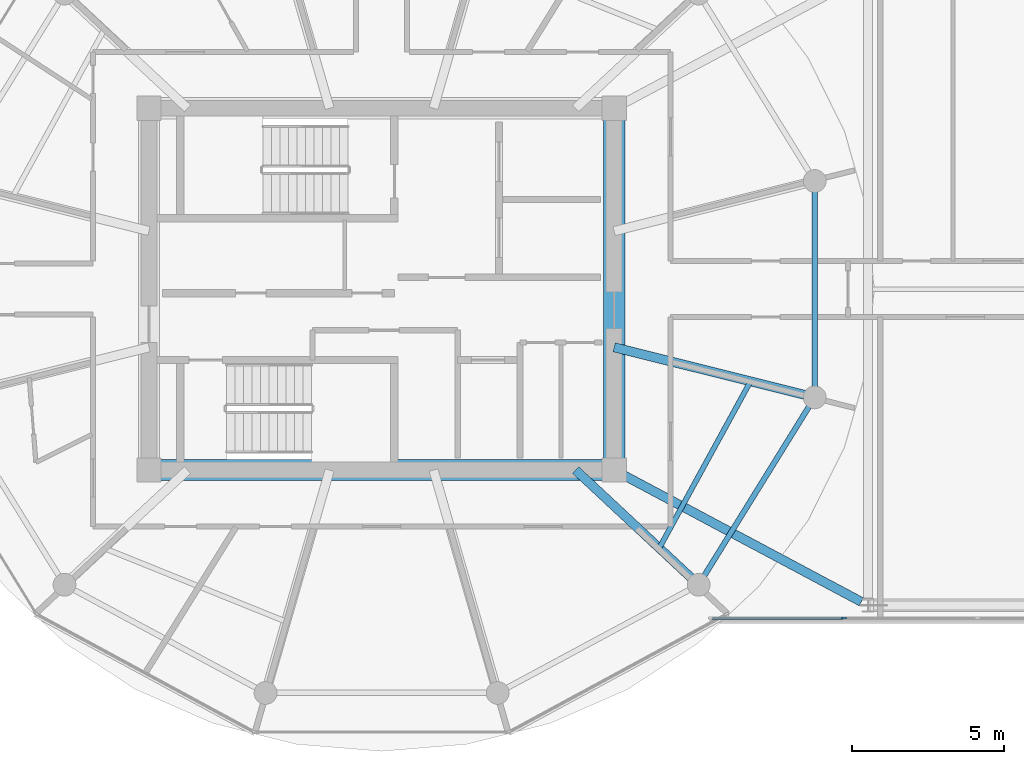
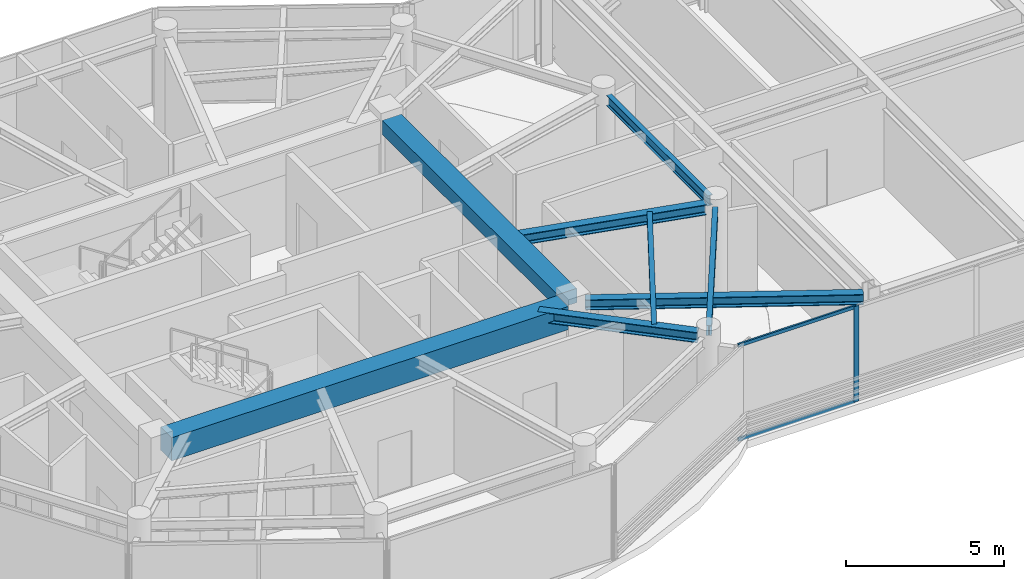
# One storey, part 4 of 24: 8 beams, 3 members, 1 element without a shape of its own.
"""IFC4 building model written with IfcOpenShell, lengths in metres."""

from ifc_helpers import new_model, si_unit, direction, frame, origin, origin_2d, place, context, subcontext, project, spatial, rectangle, i_section, extrude, source, transform, mapped, material, layer, layer_set, material_profile, profile_set, type_object, type_shapes, element, aggregate, save


model = new_model("IFC4")

# Units and contexts
model_context = context("Model", 3, precision=1e-05, world=origin(), true_north=direction((0.0, 1.0)))
body_context = subcontext(model_context, "Body", "Model", "MODEL_VIEW")
ifc_project = project(units=[si_unit("LENGTHUNIT", "METRE"), si_unit("AREAUNIT", "SQUARE_METRE"), si_unit("VOLUMEUNIT", "CUBIC_METRE"), si_unit("PLANEANGLEUNIT", "RADIAN"), si_unit("MASSUNIT", "GRAM", prefix="KILO")], contexts=[model_context])

# Site, building, storey
site_placement = place(None, origin())
site = spatial("IfcSite", under=ifc_project, at=site_placement, CompositionType="ELEMENT")
building_placement = place(site_placement, origin())
building = spatial("IfcBuilding", under=site, at=building_placement, Name="Norrkilde Senior Care Towers", CompositionType="ELEMENT")
storey_placement = place(building_placement, frame((0.0, 0.0, 203.800048828125)))
storey = spatial("IfcBuildingStorey", under=building, at=storey_placement, Name="L63", CompositionType="ELEMENT", Elevation=203.800048828125)

# Beams
ifc_material_1 = material(Name="Concrete C60/75", Category="concrete")
ifc_material_profile_1 = material_profile(ifc_material_1, rectangle(XDim=0.699951171875, YDim=0.89990234375, at=origin_2d()), Name="RC BM 700x900")
ifc_profile_set_1 = profile_set([ifc_material_profile_1], Name="Concrete C60/75")
beam_type_1 = type_object("IfcBeamType", Name="Core Coupling Girder 700x900", PredefinedType="USERDEFINED", material=ifc_profile_set_1)
shared_shape_1 = source(origin(), body_context, "Body", "SweptSolid", [
    extrude(rectangle(XDim=0.699951171875, YDim=0.89990234375, at=origin_2d()), origin(), (0.0, 0.0, 1.0), 14.5400390625),
])
type_shapes(beam_type_1, [shared_shape_1])
beam_1_placement = place(storey_placement, frame((-35.27001953125, -5.949951171875, 3.260009765625), z_axis=(1.0, 0.0, 0.0), x_axis=(0.0, 1.0, 0.0)))
element("IfcBeam", 1, at=beam_1_placement, inside=storey, type_object=beam_type_1, Name="L63 Core W S Coupling Girder", ObjectType="GIRDER", PredefinedType="USERDEFINED", context=body_context, shape_type="MappedRepresentation", body=[
    mapped(shared_shape_1, transform((0.0, 0.0, 0.0), x_axis=(1.0, 0.0, 0.0), y_axis=(0.0, 1.0, 0.0), z_axis=(0.0, 0.0, 1.0), scale=1.0)),
])
ifc_material_profile_2 = material_profile(ifc_material_1, rectangle(XDim=0.699951171875, YDim=0.550048828125, at=origin_2d()), Name="RC BM 700x550")
ifc_profile_set_2 = profile_set([ifc_material_profile_2], Name="Concrete C60/75")
beam_type_2 = type_object("IfcBeamType", Name="Core Portal Coupling Beam 700x550", PredefinedType="USERDEFINED", material=ifc_profile_set_2)
shared_shape_2 = source(origin(), body_context, "Body", "SweptSolid", [
    extrude(rectangle(XDim=0.699951171875, YDim=0.550048828125, at=origin_2d()), origin(), (0.0, 0.0, 1.0), 11.14013671875),
])
type_shapes(beam_type_2, [shared_shape_2])
beam_2_placement = place(storey_placement, frame((-20.35009765625, -5.570068359375, 3.43505859375), z_axis=(0.0, 1.0, 0.0), x_axis=(-1.0, 0.0, 0.0)))
element("IfcBeam", 2, at=beam_2_placement, inside=storey, type_object=beam_type_2, Name="L63 Core W E Coupling Girder", ObjectType="GIRDER", PredefinedType="USERDEFINED", context=body_context, shape_type="MappedRepresentation", body=[
    mapped(shared_shape_2, transform((0.0, 0.0, 0.0), x_axis=(1.0, 0.0, 0.0), y_axis=(0.0, 1.0, 0.0), z_axis=(0.0, 0.0, 1.0), scale=1.0)),
])
ifc_material_2 = material(Name="Steel S355", Category="steel")
ifc_material_profile_3 = material_profile(ifc_material_2, i_section(OverallWidth=0.179931640625, OverallDepth=0.39990234375, WebThickness=0.008544921875, FlangeThickness=0.013427734375, FilletRadius=0.02099609375, at=origin_2d()), Name="IPE 400")
ifc_profile_set_3 = profile_set([ifc_material_profile_3], Name="Steel S355")
beam_type_3 = type_object("IfcBeamType", Name="Perimeter Ring Spandrel Z4 IPE400", PredefinedType="SPANDREL", material=ifc_profile_set_3)
shared_shape_3 = source(origin(), body_context, "Body", "SweptSolid", [
    extrude(i_section(OverallWidth=0.179931640625, OverallDepth=0.39990234375, WebThickness=0.008544921875, FlangeThickness=0.013427734375, FilletRadius=0.02099609375, at=origin_2d()), origin(), (0.0, 0.0, 1.0), 6.58056640625),
])
beam_3_placement = place(storey_placement, frame((-17.393798828125, -9.43798828125, 3.510009765625), z_axis=(0.526529583789, 0.850156807533, 0.0), x_axis=(-0.850156807533, 0.526529583789, 0.0)))
element("IfcBeam", 3, at=beam_3_placement, inside=storey, type_object=beam_type_3, Name="L63 Drum W Perimeter Spandrel 11", PredefinedType="SPANDREL", context=body_context, shape_type="MappedRepresentation", body=[
    mapped(shared_shape_3, transform((0.0, 0.0, 0.0), x_axis=(1.0, 0.0, 0.0), y_axis=(0.0, 1.0, 0.0), z_axis=(0.0, 0.0, 1.0), scale=1.0)),
])
ifc_material_profile_4 = material_profile(ifc_material_2, i_section(OverallWidth=0.300048828125, OverallDepth=0.39990234375, WebThickness=0.013427734375, FlangeThickness=0.02392578125, FilletRadius=0.027099609375, at=origin_2d()), Name="HEB 400")
ifc_profile_set_4 = profile_set([ifc_material_profile_4], Name="Steel S355")
beam_type_4 = type_object("IfcBeamType", Name="Radial Floor Beam Z4 HEB400", PredefinedType="BEAM", material=ifc_profile_set_4)
shared_shape_4 = source(origin(), body_context, "Body", "SweptSolid", [
    extrude(i_section(OverallWidth=0.300048828125, OverallDepth=0.39990234375, WebThickness=0.013427734375, FlangeThickness=0.02392578125, FilletRadius=0.027099609375, at=origin_2d()), origin(), (0.0, 0.0, 1.0), 6.465087890625),
])
beam_4_placement = place(storey_placement, frame((-20.35009765625, -1.910888671875, 3.510009765625), z_axis=(0.970195788563, -0.242322371758, 0.0), x_axis=(0.242322371758, 0.970195788563, 0.0)))
element("IfcBeam", 4, at=beam_4_placement, inside=storey, type_object=beam_type_4, Name="L63 Drum W Radial Floor Beam 12", PredefinedType="BEAM", context=body_context, shape_type="MappedRepresentation", body=[
    mapped(shared_shape_4, transform((0.0, 0.0, 0.0), x_axis=(1.0, 0.0, 0.0), y_axis=(0.0, 1.0, 0.0), z_axis=(0.0, 0.0, 1.0), scale=1.0)),
])
shared_shape_5 = source(origin(), body_context, "Body", "SweptSolid", [
    extrude(i_section(OverallWidth=0.300048828125, OverallDepth=0.39990234375, WebThickness=0.013427734375, FlangeThickness=0.02392578125, FilletRadius=0.027099609375, at=origin_2d()), origin(), (0.0, 0.0, 1.0), 5.197998046875),
])
beam_5_placement = place(storey_placement, frame((-21.6171875, -5.949951171875, 3.510009765625), z_axis=(0.731448749334, -0.681896419625, 0.0), x_axis=(0.681896419625, 0.731448749334, 0.0)))
element("IfcBeam", 5, at=beam_5_placement, inside=storey, type_object=beam_type_4, Name="L63 Drum W Radial Floor Beam 11", PredefinedType="BEAM", context=body_context, shape_type="MappedRepresentation", body=[
    mapped(shared_shape_5, transform((0.0, 0.0, 0.0), x_axis=(1.0, 0.0, 0.0), y_axis=(0.0, 1.0, 0.0), z_axis=(0.0, 0.0, 1.0), scale=1.0)),
])
shared_shape_6 = source(origin(), body_context, "Body", "SweptSolid", [
    extrude(i_section(OverallWidth=0.179931640625, OverallDepth=0.39990234375, WebThickness=0.008544921875, FlangeThickness=0.013427734375, FilletRadius=0.02099609375, at=origin_2d()), origin(), (0.0, 0.0, 1.0), 6.44775390625),
])
type_shapes(beam_type_3, [shared_shape_3, shared_shape_6])
beam_6_placement = place(storey_placement, frame((-13.752685546875, -3.223876953125, 3.510009765625), z_axis=(0.0, 1.0, 0.0), x_axis=(-1.0, 0.0, 0.0)))
element("IfcBeam", 6, at=beam_6_placement, inside=storey, type_object=beam_type_3, Name="L63 Drum W Perimeter Spandrel 12", PredefinedType="SPANDREL", context=body_context, shape_type="MappedRepresentation", body=[
    mapped(shared_shape_6, transform((0.0, 0.0, 0.0), x_axis=(1.0, 0.0, 0.0), y_axis=(0.0, 1.0, 0.0), z_axis=(0.0, 0.0, 1.0), scale=1.0)),
])
ifc_material_profile_5 = material_profile(ifc_material_2, i_section(OverallWidth=0.169921875, OverallDepth=0.360107421875, WebThickness=0.008056640625, FlangeThickness=0.0126953125, FilletRadius=0.01806640625, at=origin_2d()), Name="IPE 360")
ifc_profile_set_5 = profile_set([ifc_material_profile_5], Name="Steel S355")
beam_type_5 = type_object("IfcBeamType", Name="Secondary Floor Joist IPE360", PredefinedType="JOIST", material=ifc_profile_set_5)
shared_shape_7 = source(origin(), body_context, "Body", "SweptSolid", [
    extrude(i_section(OverallWidth=0.169921875, OverallDepth=0.360107421875, WebThickness=0.008056640625, FlangeThickness=0.0126953125, FilletRadius=0.01806640625, at=origin_2d()), origin(), (0.0, 0.0, 1.0), 6.25146484375),
])
type_shapes(beam_type_5, [shared_shape_7])
beam_7_placement = place(storey_placement, frame((-18.865234375, -8.515380859375, 3.530029296875), z_axis=(0.480115752653, 0.877205143655, 0.0), x_axis=(-0.877205143655, 0.480115752653, 0.0)))
element("IfcBeam", 7, at=beam_7_placement, inside=storey, type_object=beam_type_5, Name="L63 Drum W Secondary Floor Joist 4", PredefinedType="JOIST", context=body_context, shape_type="MappedRepresentation", body=[
    mapped(shared_shape_7, transform((0.0, 0.0, 0.0), x_axis=(1.0, 0.0, 0.0), y_axis=(0.0, 1.0, 0.0), z_axis=(0.0, 0.0, 1.0), scale=1.0)),
])
shared_shape_8 = source(origin(), body_context, "Body", "SweptSolid", [
    extrude(i_section(OverallWidth=0.300048828125, OverallDepth=0.39990234375, WebThickness=0.013427734375, FlangeThickness=0.02392578125, FilletRadius=0.027099609375, at=origin_2d()), origin(), (0.0, 0.0, 1.0), 8.831787109375),
])
type_shapes(beam_type_4, [shared_shape_4, shared_shape_5, shared_shape_8])
beam_8_placement = place(storey_placement, frame((-20.0146484375, -6.128662109375, 3.510009765625), z_axis=(0.882492172381, -0.470327083727, 0.0), x_axis=(0.470327083727, 0.882492172381, 0.0)))
element("IfcBeam", 8, at=beam_8_placement, inside=storey, type_object=beam_type_4, Name="L63 Sky-Gate Bridge Girder S1", PredefinedType="BEAM", context=body_context, shape_type="MappedRepresentation", body=[
    mapped(shared_shape_8, transform((0.0, 0.0, 0.0), x_axis=(1.0, 0.0, 0.0), y_axis=(0.0, 1.0, 0.0), z_axis=(0.0, 0.0, 1.0), scale=1.0)),
])

# Curtain wall, members
ifc_material_3 = material(Name="Triple Low-E Insulated Glazing", Category="glass")
ifc_layer = layer(ifc_material_3, 0.2099609375)
ifc_layer_set = layer_set([ifc_layer], Name="Triple Low-E Insulated Glazing")
curtain_wall_type = type_object("IfcCurtainWallType", Name="CW5 Sky-Gate Bridge Curtain Wall", PredefinedType="NOTDEFINED", material=ifc_layer_set)
curtain_wall_placement = place(storey_placement, origin())
curtain_wall = element("IfcCurtainWall", 9, at=curtain_wall_placement, inside=storey, type_object=curtain_wall_type, Name="L63 Sky-Gate Bridge South Curtain Wall 3", PredefinedType="NOTDEFINED")
ifc_material_4 = material(Name="Anodised Aluminium", Category="aluminium")
ifc_material_profile_6 = material_profile(ifc_material_4, rectangle(XDim=0.070068359375, YDim=0.169921875, at=origin_2d()), Name="ALU MULL 70x170")
ifc_profile_set_6 = profile_set([ifc_material_profile_6], Name="Anodised Aluminium")
member_type_1 = type_object("IfcMemberType", Name="Curtain Wall Mullion Heavy 70x170", PredefinedType="MULLION", material=ifc_profile_set_6)
shared_shape_9 = source(origin(), body_context, "Body", "SweptSolid", [
    extrude(rectangle(XDim=0.070068359375, YDim=0.169921875, at=origin_2d()), origin(), (0.0, 0.0, 1.0), 3.7099609375),
])
type_shapes(member_type_1, [shared_shape_9])
member_1_placement = place(storey_placement, frame((-12.800048828125, -10.820068359375, 0.0), z_axis=(0.0, 0.0, 1.0), x_axis=(0.0, -1.0, 0.0)))
member_1 = element("IfcMember", 10, at=member_1_placement, type_object=member_type_1, Name="CW-5 mullion 3", PredefinedType="MULLION", context=body_context, shape_type="MappedRepresentation", body=[
    mapped(shared_shape_9, transform((0.0, 0.0, 0.0), x_axis=(1.0, 0.0, 0.0), y_axis=(0.0, 1.0, 0.0), z_axis=(0.0, 0.0, 1.0), scale=1.0)),
])
ifc_material_profile_7 = material_profile(ifc_material_4, rectangle(XDim=0.06494140625, YDim=0.1298828125, at=origin_2d()), Name="ALU TRAN 65x130")
ifc_profile_set_7 = profile_set([ifc_material_profile_7], Name="Anodised Aluminium")
member_type_2 = type_object("IfcMemberType", Name="Curtain Wall Transom Heavy 65x130", PredefinedType="USERDEFINED", material=ifc_profile_set_7)
shared_shape_10 = source(origin(), body_context, "Body", "SweptSolid", [
    extrude(rectangle(XDim=0.06494140625, YDim=0.1298828125, at=origin_2d()), origin(), (0.0, 0.0, 1.0), 4.294921875),
])
type_shapes(member_type_2, [shared_shape_10])
member_2_placement = place(storey_placement, frame((-12.8349609375, -10.820068359375, 0.032470703125), z_axis=(-1.0, 0.0, 0.0), x_axis=(0.0, -1.0, 0.0)))
member_2 = element("IfcMember", 11, at=member_2_placement, type_object=member_type_2, Name="CW-5 transom 3.1", ObjectType="TRANSOM", PredefinedType="USERDEFINED", context=body_context, shape_type="MappedRepresentation", body=[
    mapped(shared_shape_10, transform((0.0, 0.0, 0.0), x_axis=(1.0, 0.0, 0.0), y_axis=(0.0, 1.0, 0.0), z_axis=(0.0, 0.0, 1.0), scale=1.0)),
])
member_3_placement = place(storey_placement, frame((-12.8349609375, -10.820068359375, 3.677490234375), z_axis=(-1.0, 0.0, 0.0), x_axis=(0.0, -1.0, 0.0)))
member_3 = element("IfcMember", 12, at=member_3_placement, type_object=member_type_2, Name="CW-5 transom 3.2", ObjectType="TRANSOM", PredefinedType="USERDEFINED", context=body_context, shape_type="MappedRepresentation", body=[
    mapped(shared_shape_10, transform((0.0, 0.0, 0.0), x_axis=(1.0, 0.0, 0.0), y_axis=(0.0, 1.0, 0.0), z_axis=(0.0, 0.0, 1.0), scale=1.0)),
])
aggregate(curtain_wall, [member_1, member_2, member_3])

save(model, "model.ifc")
